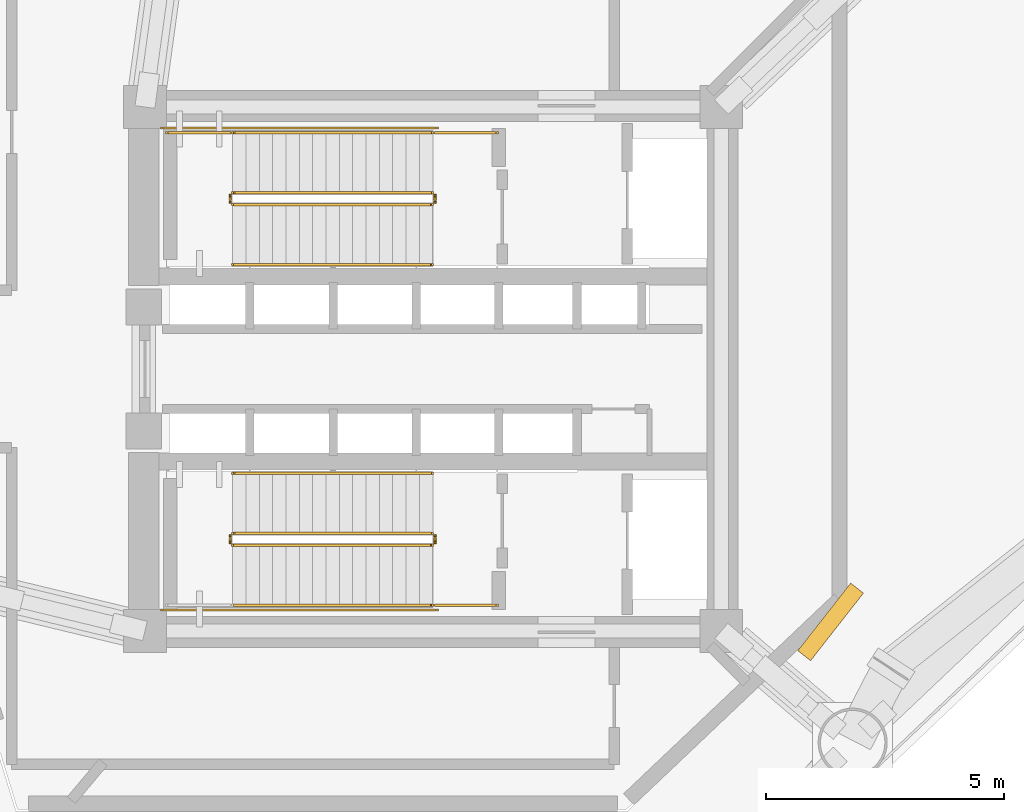
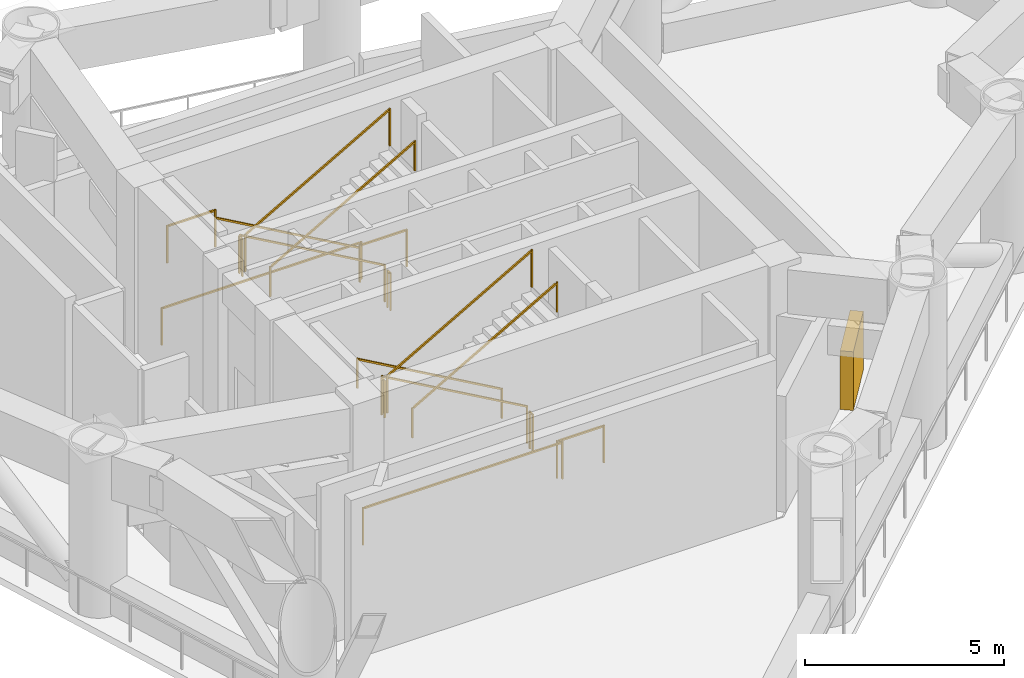
# One storey, part 7 of 8: 17 railings, 1 shading device.
"""IFC4 building model written with IfcOpenShell, lengths in metres."""

from ifc_helpers import new_model, si_unit, direction, frame, origin, origin_2d, place, context, subcontext, project, spatial, rectangle, extrude, source, transform, mapped, material, layer, layer_set, type_object, element, save


model = new_model("IFC4")

# Units and contexts
model_context = context("Model", 3, precision=1e-05, world=origin(), true_north=direction((0.0, 1.0)))
body_context = subcontext(model_context, "Body", "Model", "MODEL_VIEW")
ifc_project = project(units=[si_unit("LENGTHUNIT", "METRE"), si_unit("AREAUNIT", "SQUARE_METRE"), si_unit("VOLUMEUNIT", "CUBIC_METRE"), si_unit("PLANEANGLEUNIT", "RADIAN"), si_unit("MASSUNIT", "GRAM", prefix="KILO")], contexts=[model_context])

# Site, building, storey
site_placement = place(None, origin())
site = spatial("IfcSite", under=ifc_project, at=site_placement, CompositionType="ELEMENT")
building_placement = place(site_placement, origin())
building = spatial("IfcBuilding", under=site, at=building_placement, Name="Yunling Apex Tower", CompositionType="ELEMENT")
storey_placement = place(building_placement, frame((0.0, 0.0, 119.89990234375)))
storey = spatial("IfcBuildingStorey", under=building, at=storey_placement, Name="RF3", CompositionType="ELEMENT", Elevation=119.89990234375)

# Railings
ifc_material_1 = material(Name="Steel Q355B", Category="steel")
railing_type_1 = type_object("IfcRailingType", Name="RL-GRD-1150", PredefinedType="GUARDRAIL", material=ifc_material_1)
railing_1_placement = place(storey_placement, frame((-0.010009765625, 3.699951171875, 0.159423828125)))
element("IfcRailing", 1, at=railing_1_placement, inside=storey, type_object=railing_type_1, Name="RF3 ST-1 stair guard 1", PredefinedType="GUARDRAIL", context=body_context, shape_type="SweptSolid", body=[
    extrude(rectangle(XDim=0.0439453125, YDim=0.0439453125, at=origin_2d()), origin(), (0.0, 0.0, 1.0), 1.14990234375),
    extrude(rectangle(XDim=0.0439453125, YDim=0.0439453125, at=origin_2d()), frame((-4.199951171875, 0.0, 2.390625)), (0.0, 0.0, 1.0), 1.14990234375),
    extrude(rectangle(XDim=0.050048828125, YDim=0.050048828125, at=origin_2d()), frame((-0.033203125, 0.0, 1.143798828125), z_axis=(-0.869075089623, 0.0, 0.494680188199), x_axis=(0.0, -1.0, 0.0)), (0.0, 0.0, 1.0), 4.756103515625),
])
railing_2_placement = place(storey_placement, frame((-4.260009765625, 3.64990234375, 2.550048828125)))
element("IfcRailing", 2, at=railing_2_placement, inside=storey, type_object=railing_type_1, Name="RF3 ST-1 stair guard 2", PredefinedType="GUARDRAIL", context=body_context, shape_type="SweptSolid", body=[
    extrude(rectangle(XDim=0.0439453125, YDim=0.0439453125, at=origin_2d()), origin(), (0.0, 0.0, 1.0), 1.14990234375),
    extrude(rectangle(XDim=0.0439453125, YDim=0.0439453125, at=origin_2d()), frame((0.0, -0.14990234375, 0.0)), (0.0, 0.0, 1.0), 1.14990234375),
    extrude(rectangle(XDim=0.050048828125, YDim=0.050048828125, at=origin_2d()), frame((0.0, -0.038330078125, 1.125), z_axis=(0.0, -1.0, 0.0), x_axis=(1.0, 0.0, 0.0)), (0.0, 0.0, 1.0), 0.0732421875),
])
railing_3_placement = place(storey_placement, frame((-4.2099609375, 4.9599609375, 2.550048828125)))
element("IfcRailing", 3, at=railing_3_placement, inside=storey, type_object=railing_type_1, Name="RF3 ST-1 stair guard 3", PredefinedType="GUARDRAIL", context=body_context, shape_type="SweptSolid", body=[
    extrude(rectangle(XDim=0.0439453125, YDim=0.0439453125, at=origin_2d()), origin(), (0.0, 0.0, 1.0), 1.14990234375),
    extrude(rectangle(XDim=0.0439453125, YDim=0.0439453125, at=origin_2d()), frame((-1.39013671875, 0.0, 0.0)), (0.0, 0.0, 1.0), 1.14990234375),
    extrude(rectangle(XDim=0.050048828125, YDim=0.050048828125, at=origin_2d()), frame((-0.038330078125, 0.0, 1.125), z_axis=(-1.0, 0.0, 0.0), x_axis=(0.0, -1.0, 0.0)), (0.0, 0.0, 1.0), 1.3134765625),
])
railing_4_placement = place(storey_placement, frame((-4.2099609375, 3.449951171875, 2.70947265625)))
element("IfcRailing", 4, at=railing_4_placement, inside=storey, type_object=railing_type_1, Name="RF3 ST-1 stair guard 4", PredefinedType="GUARDRAIL", context=body_context, shape_type="SweptSolid", body=[
    extrude(rectangle(XDim=0.0439453125, YDim=0.0439453125, at=origin_2d()), origin(), (0.0, 0.0, 1.0), 1.14990234375),
    extrude(rectangle(XDim=0.0439453125, YDim=0.0439453125, at=origin_2d()), frame((4.199951171875, 0.0, 2.390625)), (0.0, 0.0, 1.0), 1.14990234375),
    extrude(rectangle(XDim=0.050048828125, YDim=0.050048828125, at=origin_2d()), frame((0.033203125, 0.0, 1.143798828125), z_axis=(0.869075089623, 0.0, 0.494680188199), x_axis=(0.0, 1.0, 0.0)), (0.0, 0.0, 1.0), 4.756103515625),
])
railing_5_placement = place(storey_placement, frame((0.0400390625, 3.64990234375, 0.0)))
element("IfcRailing", 5, at=railing_5_placement, inside=storey, type_object=railing_type_1, Name="RF3 ST-1 stair guard 5", PredefinedType="GUARDRAIL", context=body_context, shape_type="SweptSolid", body=[
    extrude(rectangle(XDim=0.0439453125, YDim=0.0439453125, at=origin_2d()), origin(), (0.0, 0.0, 1.0), 1.14990234375),
    extrude(rectangle(XDim=0.0439453125, YDim=0.0439453125, at=origin_2d()), frame((0.0, -0.14990234375, 0.0)), (0.0, 0.0, 1.0), 1.14990234375),
    extrude(rectangle(XDim=0.050048828125, YDim=0.050048828125, at=origin_2d()), frame((0.0, -0.038330078125, 1.125), z_axis=(0.0, -1.0, 0.0), x_axis=(1.0, 0.0, 0.0)), (0.0, 0.0, 1.0), 0.0732421875),
])
railing_6_placement = place(storey_placement, frame((1.35009765625, 4.9599609375, 0.0)))
element("IfcRailing", 6, at=railing_6_placement, inside=storey, type_object=railing_type_1, Name="RF3 ST-1 stair guard 6", PredefinedType="GUARDRAIL", context=body_context, shape_type="SweptSolid", body=[
    extrude(rectangle(XDim=0.0439453125, YDim=0.0439453125, at=origin_2d()), origin(), (0.0, 0.0, 1.0), 1.14990234375),
    extrude(rectangle(XDim=0.0439453125, YDim=0.0439453125, at=origin_2d()), frame((-1.360107421875, 0.0, 0.0)), (0.0, 0.0, 1.0), 1.14990234375),
    extrude(rectangle(XDim=0.050048828125, YDim=0.050048828125, at=origin_2d()), frame((-0.038330078125, 0.0, 1.125), z_axis=(-1.0, 0.0, 0.0), x_axis=(0.0, -1.0, 0.0)), (0.0, 0.0, 1.0), 1.283447265625),
])
railing_7_placement = place(storey_placement, frame((0.090087890625, 5.06005859375, 0.0)))
element("IfcRailing", 7, at=railing_7_placement, inside=storey, type_object=railing_type_1, Name="RF3 ST-1 stair guard 7", PredefinedType="GUARDRAIL", context=body_context, shape_type="SweptSolid", body=[
    extrude(rectangle(XDim=0.0439453125, YDim=0.0439453125, at=origin_2d()), origin(), (0.0, 0.0, 1.0), 1.14990234375),
    extrude(rectangle(XDim=0.0439453125, YDim=0.0439453125, at=origin_2d()), frame((-5.7900390625, 0.0, 0.0)), (0.0, 0.0, 1.0), 1.14990234375),
    extrude(rectangle(XDim=0.050048828125, YDim=0.050048828125, at=origin_2d()), frame((-0.038330078125, 0.0, 1.125), z_axis=(-1.0, 0.0, 0.0), x_axis=(0.0, -1.0, 0.0)), (0.0, 0.0, 1.0), 5.71337890625),
])
railing_8_placement = place(storey_placement, frame((-0.010009765625, -3.449951171875, 0.159423828125)))
element("IfcRailing", 8, at=railing_8_placement, inside=storey, type_object=railing_type_1, Name="RF3 ST-2 stair guard 1", PredefinedType="GUARDRAIL", context=body_context, shape_type="SweptSolid", body=[
    extrude(rectangle(XDim=0.0439453125, YDim=0.0439453125, at=origin_2d()), origin(), (0.0, 0.0, 1.0), 1.14990234375),
    extrude(rectangle(XDim=0.0439453125, YDim=0.0439453125, at=origin_2d()), frame((-4.199951171875, 0.0, 2.390625)), (0.0, 0.0, 1.0), 1.14990234375),
    extrude(rectangle(XDim=0.050048828125, YDim=0.050048828125, at=origin_2d()), frame((-0.033203125, 0.0, 1.143798828125), z_axis=(-0.869075089623, 0.0, 0.494680188199), x_axis=(0.0, -1.0, 0.0)), (0.0, 0.0, 1.0), 4.756103515625),
])
railing_9_placement = place(storey_placement, frame((-4.260009765625, -3.5, 2.550048828125)))
element("IfcRailing", 9, at=railing_9_placement, inside=storey, type_object=railing_type_1, Name="RF3 ST-2 stair guard 2", PredefinedType="GUARDRAIL", context=body_context, shape_type="SweptSolid", body=[
    extrude(rectangle(XDim=0.0439453125, YDim=0.0439453125, at=origin_2d()), origin(), (0.0, 0.0, 1.0), 1.14990234375),
    extrude(rectangle(XDim=0.0439453125, YDim=0.0439453125, at=origin_2d()), frame((0.0, -0.14990234375, 0.0)), (0.0, 0.0, 1.0), 1.14990234375),
    extrude(rectangle(XDim=0.050048828125, YDim=0.050048828125, at=origin_2d()), frame((0.0, -0.038330078125, 1.125), z_axis=(0.0, -1.0, 0.0), x_axis=(1.0, 0.0, 0.0)), (0.0, 0.0, 1.0), 0.0732421875),
])
railing_10_placement = place(storey_placement, frame((-4.2099609375, -3.699951171875, 2.70947265625)))
element("IfcRailing", 10, at=railing_10_placement, inside=storey, type_object=railing_type_1, Name="RF3 ST-2 stair guard 4", PredefinedType="GUARDRAIL", context=body_context, shape_type="SweptSolid", body=[
    extrude(rectangle(XDim=0.0439453125, YDim=0.0439453125, at=origin_2d()), origin(), (0.0, 0.0, 1.0), 1.14990234375),
    extrude(rectangle(XDim=0.0439453125, YDim=0.0439453125, at=origin_2d()), frame((4.199951171875, 0.0, 2.390625)), (0.0, 0.0, 1.0), 1.14990234375),
    extrude(rectangle(XDim=0.050048828125, YDim=0.050048828125, at=origin_2d()), frame((0.033203125, 0.0, 1.143798828125), z_axis=(0.869075089623, 0.0, 0.494680188199), x_axis=(0.0, 1.0, 0.0)), (0.0, 0.0, 1.0), 4.756103515625),
])
railing_11_placement = place(storey_placement, frame((0.0400390625, -3.5, 0.0)))
element("IfcRailing", 11, at=railing_11_placement, inside=storey, type_object=railing_type_1, Name="RF3 ST-2 stair guard 5", PredefinedType="GUARDRAIL", context=body_context, shape_type="SweptSolid", body=[
    extrude(rectangle(XDim=0.0439453125, YDim=0.0439453125, at=origin_2d()), origin(), (0.0, 0.0, 1.0), 1.14990234375),
    extrude(rectangle(XDim=0.0439453125, YDim=0.0439453125, at=origin_2d()), frame((0.0, -0.14990234375, 0.0)), (0.0, 0.0, 1.0), 1.14990234375),
    extrude(rectangle(XDim=0.050048828125, YDim=0.050048828125, at=origin_2d()), frame((0.0, -0.038330078125, 1.125), z_axis=(0.0, -1.0, 0.0), x_axis=(1.0, 0.0, 0.0)), (0.0, 0.0, 1.0), 0.0732421875),
])
railing_12_placement = place(storey_placement, frame((1.35009765625, -4.9599609375, 0.0)))
element("IfcRailing", 12, at=railing_12_placement, inside=storey, type_object=railing_type_1, Name="RF3 ST-2 stair guard 6", PredefinedType="GUARDRAIL", context=body_context, shape_type="SweptSolid", body=[
    extrude(rectangle(XDim=0.0439453125, YDim=0.0439453125, at=origin_2d()), origin(), (0.0, 0.0, 1.0), 1.14990234375),
    extrude(rectangle(XDim=0.0439453125, YDim=0.0439453125, at=origin_2d()), frame((-1.360107421875, 0.0, 0.0)), (0.0, 0.0, 1.0), 1.14990234375),
    extrude(rectangle(XDim=0.050048828125, YDim=0.050048828125, at=origin_2d()), frame((-0.038330078125, 0.0, 1.125), z_axis=(-1.0, 0.0, 0.0), x_axis=(0.0, -1.0, 0.0)), (0.0, 0.0, 1.0), 1.283447265625),
])
railing_13_placement = place(storey_placement, frame((0.090087890625, -5.06005859375, 0.0)))
element("IfcRailing", 13, at=railing_13_placement, inside=storey, type_object=railing_type_1, Name="RF3 ST-2 stair guard 7", PredefinedType="GUARDRAIL", context=body_context, shape_type="SweptSolid", body=[
    extrude(rectangle(XDim=0.0439453125, YDim=0.0439453125, at=origin_2d()), origin(), (0.0, 0.0, 1.0), 1.14990234375),
    extrude(rectangle(XDim=0.0439453125, YDim=0.0439453125, at=origin_2d()), frame((-5.7900390625, 0.0, 0.0)), (0.0, 0.0, 1.0), 1.14990234375),
    extrude(rectangle(XDim=0.050048828125, YDim=0.050048828125, at=origin_2d()), frame((-0.038330078125, 0.0, 1.125), z_axis=(-1.0, 0.0, 0.0), x_axis=(0.0, -1.0, 0.0)), (0.0, 0.0, 1.0), 5.71337890625),
])
ifc_material_2 = material(Name="Silver anodised aluminium", Category="aluminium")
railing_type_2 = type_object("IfcRailingType", Name="RL-HND-900", PredefinedType="HANDRAIL", material=ifc_material_2)
railing_14_placement = place(storey_placement, frame((-0.010009765625, 4.9599609375, 0.159423828125)))
element("IfcRailing", 14, at=railing_14_placement, inside=storey, type_object=railing_type_2, Name="RF3 ST-1 stair handrail 1", PredefinedType="HANDRAIL", context=body_context, shape_type="SweptSolid", body=[
    extrude(rectangle(XDim=0.0439453125, YDim=0.0439453125, at=origin_2d()), origin(), (0.0, 0.0, 1.0), 0.919921875),
    extrude(rectangle(XDim=0.0439453125, YDim=0.0439453125, at=origin_2d()), frame((-4.199951171875, 0.0, 2.390625)), (0.0, 0.0, 1.0), 0.919921875),
    extrude(rectangle(XDim=0.050048828125, YDim=0.050048828125, at=origin_2d()), frame((-0.033203125, 0.0, 0.913818359375), z_axis=(-0.869075089623, 0.0, 0.494680188199), x_axis=(0.0, -1.0, 0.0)), (0.0, 0.0, 1.0), 4.756103515625),
])
railing_15_placement = place(storey_placement, frame((-4.2099609375, 2.18994140625, 2.70947265625)))
element("IfcRailing", 15, at=railing_15_placement, inside=storey, type_object=railing_type_2, Name="RF3 ST-1 stair handrail 2", PredefinedType="HANDRAIL", context=body_context, shape_type="SweptSolid", body=[
    extrude(rectangle(XDim=0.0439453125, YDim=0.0439453125, at=origin_2d()), origin(), (0.0, 0.0, 1.0), 0.919921875),
    extrude(rectangle(XDim=0.0439453125, YDim=0.0439453125, at=origin_2d()), frame((4.199951171875, 0.0, 2.390625)), (0.0, 0.0, 1.0), 0.919921875),
    extrude(rectangle(XDim=0.050048828125, YDim=0.050048828125, at=origin_2d()), frame((0.033203125, 0.0, 0.913818359375), z_axis=(0.869075089623, 0.0, 0.494680188199), x_axis=(0.0, 1.0, 0.0)), (0.0, 0.0, 1.0), 4.756103515625),
])
railing_16_placement = place(storey_placement, frame((-0.010009765625, -2.18994140625, 0.159423828125)))
element("IfcRailing", 16, at=railing_16_placement, inside=storey, type_object=railing_type_2, Name="RF3 ST-2 stair handrail 1", PredefinedType="HANDRAIL", context=body_context, shape_type="SweptSolid", body=[
    extrude(rectangle(XDim=0.0439453125, YDim=0.0439453125, at=origin_2d()), origin(), (0.0, 0.0, 1.0), 0.919921875),
    extrude(rectangle(XDim=0.0439453125, YDim=0.0439453125, at=origin_2d()), frame((-4.199951171875, 0.0, 2.390625)), (0.0, 0.0, 1.0), 0.919921875),
    extrude(rectangle(XDim=0.050048828125, YDim=0.050048828125, at=origin_2d()), frame((-0.033203125, 0.0, 0.913818359375), z_axis=(-0.869075089623, 0.0, 0.494680188199), x_axis=(0.0, -1.0, 0.0)), (0.0, 0.0, 1.0), 4.756103515625),
])
railing_17_placement = place(storey_placement, frame((-4.2099609375, -4.9599609375, 2.70947265625)))
element("IfcRailing", 17, at=railing_17_placement, inside=storey, type_object=railing_type_2, Name="RF3 ST-2 stair handrail 2", PredefinedType="HANDRAIL", context=body_context, shape_type="SweptSolid", body=[
    extrude(rectangle(XDim=0.0439453125, YDim=0.0439453125, at=origin_2d()), origin(), (0.0, 0.0, 1.0), 0.919921875),
    extrude(rectangle(XDim=0.0439453125, YDim=0.0439453125, at=origin_2d()), frame((4.199951171875, 0.0, 2.390625)), (0.0, 0.0, 1.0), 0.919921875),
    extrude(rectangle(XDim=0.050048828125, YDim=0.050048828125, at=origin_2d()), frame((0.033203125, 0.0, 0.913818359375), z_axis=(0.869075089623, 0.0, 0.494680188199), x_axis=(0.0, 1.0, 0.0)), (0.0, 0.0, 1.0), 4.756103515625),
])

# Shading device
ifc_material_3 = material(Name="Bronze anodised aluminium", Category="aluminium")
ifc_layer = layer(ifc_material_3, 0.1201171875)
ifc_layer_set = layer_set([ifc_layer], Name="Bronze anodised aluminium")
shading_device_type = type_object("IfcShadingDeviceType", Name="LV-BRZ-1", PredefinedType="USERDEFINED", material=ifc_layer_set)
shared_shape = source(origin(), body_context, "Body", "SweptSolid", [
    extrude(rectangle(XDim=1.800048828125, YDim=0.340087890625, at=origin_2d()), origin(), (0.0, 0.0, 1.0), 1.800048828125),
])
shading_device_placement = place(storey_placement, frame((8.345458984375, -5.309814453125, 0.0), z_axis=(0.0, 0.0, 1.0), x_axis=(-0.616211460536, -0.787580748815, 0.0)))
element("IfcShadingDevice", 18, at=shading_device_placement, inside=storey, type_object=shading_device_type, Name="LV-REF-RF3-2", ObjectType="LOUVRE", PredefinedType="USERDEFINED", context=body_context, shape_type="MappedRepresentation", body=[
    mapped(shared_shape, transform((0.0, 0.0, 0.0), scale=1.0)),
])

save(model, "model.ifc")
